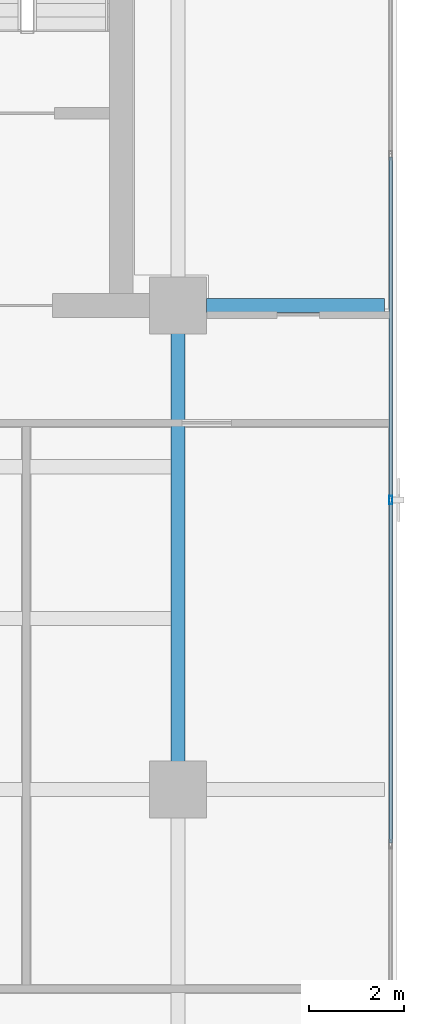
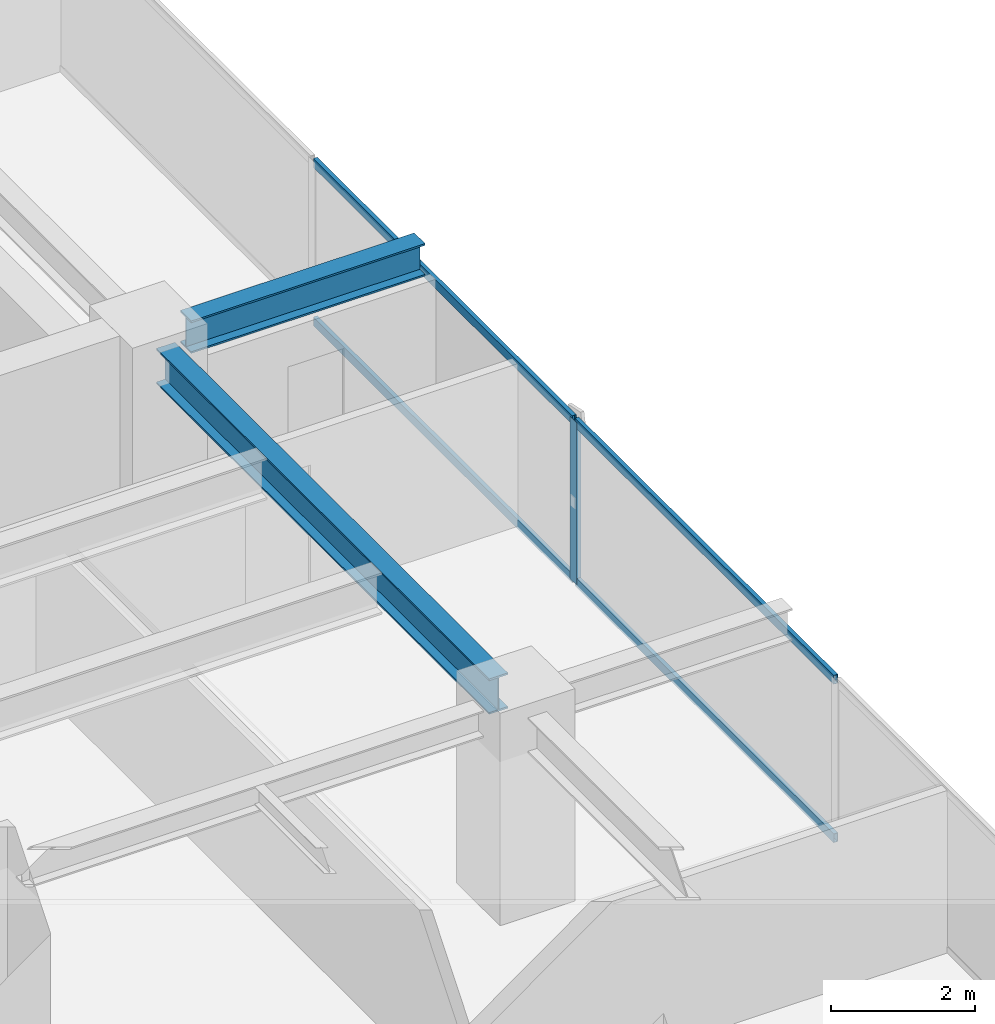
# One storey, part 9 of 20: 5 members, 2 beams, 1 element without a shape of its own.
"""IFC4 building model written with IfcOpenShell, lengths in metres."""

from ifc_helpers import new_model, si_unit, direction, frame, origin, origin_2d, place, context, subcontext, project, spatial, hollow_rectangle, i_section, extrude, source, transform, mapped, material, layer, layer_set, material_profile, profile_set, type_object, element, aggregate, save


model = new_model("IFC4")

# Units and contexts
model_context = context("Model", 3, precision=1e-05, world=origin(), true_north=direction((0.0, 1.0)))
body_context = subcontext(model_context, "Body", "Model", "MODEL_VIEW")
ifc_project = project(units=[si_unit("LENGTHUNIT", "METRE"), si_unit("AREAUNIT", "SQUARE_METRE"), si_unit("VOLUMEUNIT", "CUBIC_METRE"), si_unit("PLANEANGLEUNIT", "RADIAN"), si_unit("MASSUNIT", "GRAM", prefix="KILO")], contexts=[model_context])

# Site, building, storey
site_placement = place(None, origin())
site = spatial("IfcSite", under=ifc_project, at=site_placement, CompositionType="ELEMENT")
building_placement = place(site_placement, origin())
building = spatial("IfcBuilding", under=site, at=building_placement, Name="Sumidabori Civic Tower", CompositionType="ELEMENT")
storey_placement = place(building_placement, frame((0.0, 0.0, 282.800048828125)))
storey = spatial("IfcBuildingStorey", under=building, at=storey_placement, Name="L74", CompositionType="ELEMENT", Elevation=282.800048828125)

# Beams
ifc_material_1 = material(Name="Steel SN490", Category="steel")
ifc_material_profile_1 = material_profile(ifc_material_1, i_section(OverallWidth=0.300048828125, OverallDepth=0.60009765625, WebThickness=0.015380859375, FlangeThickness=0.030029296875, at=origin_2d()), Name="HE 600 B")
ifc_profile_set_1 = profile_set([ifc_material_profile_1], Name="Steel SN490")
beam_type_1 = type_object("IfcBeamType", Name="BM-GIRD-600", PredefinedType="BEAM", material=ifc_profile_set_1)
shared_shape_1 = source(origin(), body_context, "Body", "SweptSolid", [
    extrude(i_section(OverallWidth=0.300048828125, OverallDepth=0.60009765625, WebThickness=0.015380859375, FlangeThickness=0.030029296875, at=origin_2d()), origin(), (0.0, 0.0, 1.0), 9.239990234375),
])
beam_1_placement = place(storey_placement, frame((16.800048828125, 0.47998046875, 3.070068359375), z_axis=(0.0, 1.0, 0.0), x_axis=(-1.0, 0.0, 0.0)))
element("IfcBeam", 1, at=beam_1_placement, inside=storey, type_object=beam_type_1, Name="Primary Girder L74 GY-16", PredefinedType="BEAM", context=body_context, shape_type="MappedRepresentation", body=[
    mapped(shared_shape_1, transform((0.0, 0.0, 0.0), x_axis=(1.0, 0.0, 0.0), y_axis=(0.0, 1.0, 0.0), z_axis=(0.0, 0.0, 1.0), scale=1.0)),
])
ifc_material_profile_2 = material_profile(ifc_material_1, i_section(OverallWidth=0.300048828125, OverallDepth=0.550048828125, WebThickness=0.014892578125, FlangeThickness=0.029052734375, at=origin_2d()), Name="HE 550 B")
ifc_profile_set_2 = profile_set([ifc_material_profile_2], Name="Steel SN490")
beam_type_2 = type_object("IfcBeamType", Name="BM-Z4-EDGE", PredefinedType="SPANDREL", material=ifc_profile_set_2)
shared_shape_2 = source(origin(), body_context, "Body", "SweptSolid", [
    extrude(i_section(OverallWidth=0.300048828125, OverallDepth=0.550048828125, WebThickness=0.014892578125, FlangeThickness=0.029052734375, at=origin_2d()), origin(), (0.0, 0.0, 1.0), 3.75),
])
beam_2_placement = place(storey_placement, frame((17.39990234375, 10.199951171875, 3.094970703125), z_axis=(1.0, 0.0, 0.0), x_axis=(0.0, 1.0, 0.0)))
element("IfcBeam", 2, at=beam_2_placement, inside=storey, type_object=beam_type_2, Name="Perimeter Overhang Beam L74 E-20", PredefinedType="SPANDREL", context=body_context, shape_type="MappedRepresentation", body=[
    mapped(shared_shape_2, transform((0.0, 0.0, 0.0), x_axis=(1.0, 0.0, 0.0), y_axis=(0.0, 1.0, 0.0), z_axis=(0.0, 0.0, 1.0), scale=1.0)),
])

# Curtain wall, members
ifc_material_2 = material(Name="Anodised Bronze Aluminium AW-6063-T6", Category="aluminium")
ifc_layer = layer(ifc_material_2, 0.179931640625, Name="Anodised Bronze Aluminium AW-6063-T6")
ifc_layer_set = layer_set([ifc_layer], Name="Anodised Bronze Aluminium AW-6063-T6")
curtain_wall_type = type_object("IfcCurtainWallType", Name="CW-SYS-6", PredefinedType="NOTDEFINED", material=ifc_layer_set)
curtain_wall_placement = place(storey_placement, origin())
curtain_wall = element("IfcCurtainWall", 3, at=curtain_wall_placement, inside=storey, type_object=curtain_wall_type, Name="Curtain Wall CW:L74:R04", PredefinedType="NOTDEFINED")
ifc_material_profile_3 = material_profile(ifc_material_2, hollow_rectangle(XDim=0.070068359375, YDim=0.179931640625, WallThickness=0.006103515625, at=origin_2d()), Name="ALU MULLION 180x70")
ifc_profile_set_3 = profile_set([ifc_material_profile_3], Name="Anodised Bronze Aluminium AW-6063-T6")
member_type_1 = type_object("IfcMemberType", Name="CW-MUL-180", PredefinedType="MULLION", material=ifc_profile_set_3)
shared_shape_3 = source(origin(), body_context, "Body", "SweptSolid", [
    extrude(hollow_rectangle(XDim=0.070068359375, YDim=0.179931640625, WallThickness=0.006103515625, at=origin_2d()), origin(), (0.0, 0.0, 1.0), 2.75),
])
member_1_placement = place(storey_placement, frame((21.280029296875, 6.10009765625, 0.0), z_axis=(0.0, 0.0, 1.0), x_axis=(-1.0, 0.0, 0.0)))
member_1 = element("IfcMember", 4, at=member_1_placement, type_object=member_type_1, Name="CW-6 mullion 3", PredefinedType="MULLION", context=body_context, shape_type="MappedRepresentation", body=[
    mapped(shared_shape_3, transform((0.0, 0.0, 0.0), x_axis=(1.0, 0.0, 0.0), y_axis=(0.0, 1.0, 0.0), z_axis=(0.0, 0.0, 1.0), scale=1.0)),
])
ifc_material_profile_4 = material_profile(ifc_material_2, hollow_rectangle(XDim=0.06494140625, YDim=0.14990234375, WallThickness=0.0048828125, at=origin_2d()), Name="ALU TRANSOM 150x65")
ifc_profile_set_4 = profile_set([ifc_material_profile_4], Name="Anodised Bronze Aluminium AW-6063-T6")
member_type_2 = type_object("IfcMemberType", Name="CW-TRN-150", PredefinedType="USERDEFINED", material=ifc_profile_set_4)
shared_shape_4 = source(origin(), body_context, "Body", "SweptSolid", [
    extrude(hollow_rectangle(XDim=0.06494140625, YDim=0.14990234375, WallThickness=0.0048828125, at=origin_2d()), origin(), (0.0, 0.0, 1.0), 7.18994140625),
])
member_2_placement = place(storey_placement, frame((21.280029296875, -1.125, 0.032470703125), z_axis=(0.0, 1.0, 0.0), x_axis=(-1.0, 0.0, 0.0)))
member_2 = element("IfcMember", 5, at=member_2_placement, type_object=member_type_2, Name="CW-6 transom 2.1", ObjectType="TRANSOM", PredefinedType="USERDEFINED", context=body_context, shape_type="MappedRepresentation", body=[
    mapped(shared_shape_4, transform((0.0, 0.0, 0.0), x_axis=(1.0, 0.0, 0.0), y_axis=(0.0, 1.0, 0.0), z_axis=(0.0, 0.0, 1.0), scale=1.0)),
])
member_3_placement = place(storey_placement, frame((21.280029296875, -1.125, 2.717529296875), z_axis=(0.0, 1.0, 0.0), x_axis=(-1.0, 0.0, 0.0)))
member_3 = element("IfcMember", 6, at=member_3_placement, type_object=member_type_2, Name="CW-6 transom 2.2", ObjectType="TRANSOM", PredefinedType="USERDEFINED", context=body_context, shape_type="MappedRepresentation", body=[
    mapped(shared_shape_4, transform((0.0, 0.0, 0.0), x_axis=(1.0, 0.0, 0.0), y_axis=(0.0, 1.0, 0.0), z_axis=(0.0, 0.0, 1.0), scale=1.0)),
])
member_4_placement = place(storey_placement, frame((21.280029296875, 6.135009765625, 0.032470703125), z_axis=(0.0, 1.0, 0.0), x_axis=(-1.0, 0.0, 0.0)))
member_4 = element("IfcMember", 7, at=member_4_placement, type_object=member_type_2, Name="CW-6 transom 3.1", ObjectType="TRANSOM", PredefinedType="USERDEFINED", context=body_context, shape_type="MappedRepresentation", body=[
    mapped(shared_shape_4, transform((0.0, 0.0, 0.0), x_axis=(1.0, 0.0, 0.0), y_axis=(0.0, 1.0, 0.0), z_axis=(0.0, 0.0, 1.0), scale=1.0)),
])
member_5_placement = place(storey_placement, frame((21.280029296875, 6.135009765625, 2.717529296875), z_axis=(0.0, 1.0, 0.0), x_axis=(-1.0, 0.0, 0.0)))
member_5 = element("IfcMember", 8, at=member_5_placement, type_object=member_type_2, Name="CW-6 transom 3.2", ObjectType="TRANSOM", PredefinedType="USERDEFINED", context=body_context, shape_type="MappedRepresentation", body=[
    mapped(shared_shape_4, transform((0.0, 0.0, 0.0), x_axis=(1.0, 0.0, 0.0), y_axis=(0.0, 1.0, 0.0), z_axis=(0.0, 0.0, 1.0), scale=1.0)),
])
aggregate(curtain_wall, [member_1, member_2, member_3, member_4, member_5])

save(model, "model.ifc")
